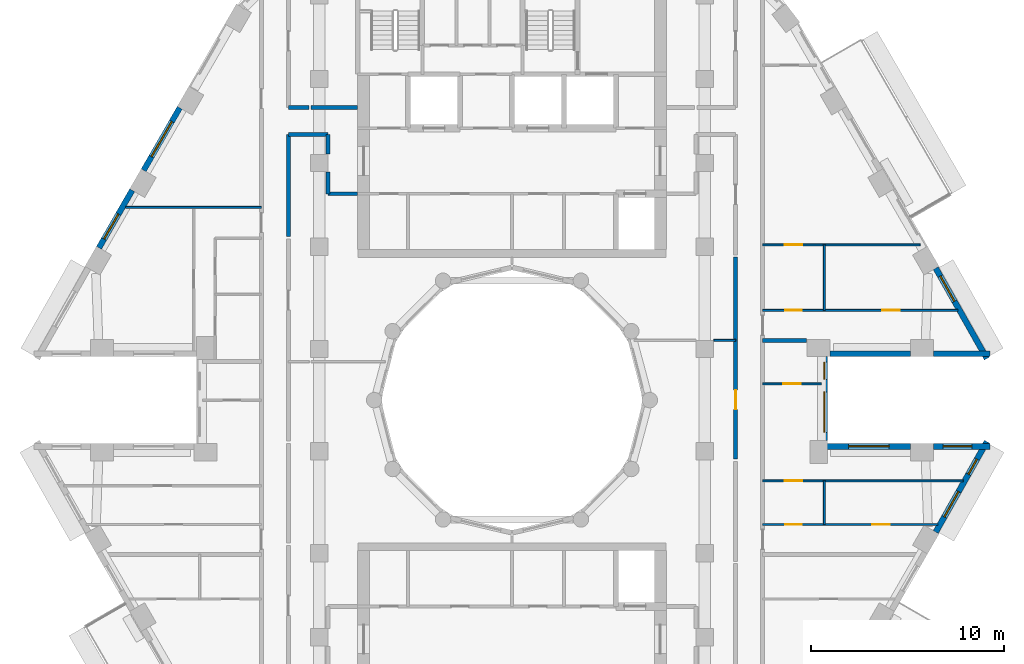
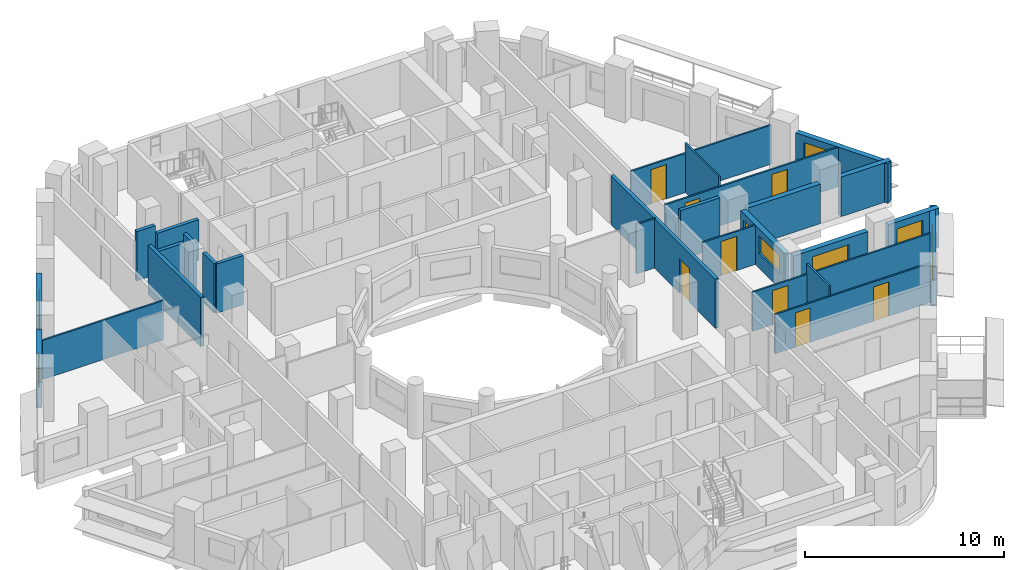
# One storey, part 7 of 18: 27 walls, 9 windows, 8 doors, 17 openings.
"""IFC4 building model written with IfcOpenShell, lengths in metres."""

from ifc_helpers import new_model, si_unit, direction, frame, frame_2d, origin, place, context, subcontext, project, spatial, rectangle, extrude, material, layer, layer_set, type_object, element, fill, save


model = new_model("IFC4")

# Units and contexts
model_context = context("Model", 3, precision=1e-05, world=origin(), true_north=direction((0.0, 1.0)))
body_context = subcontext(model_context, "Body", "Model", "MODEL_VIEW")
ifc_project = project(units=[si_unit("LENGTHUNIT", "METRE"), si_unit("AREAUNIT", "SQUARE_METRE"), si_unit("VOLUMEUNIT", "CUBIC_METRE"), si_unit("PLANEANGLEUNIT", "RADIAN"), si_unit("MASSUNIT", "GRAM", prefix="KILO")], contexts=[model_context])

# Site, building, storey
site_placement = place(None, origin())
site = spatial("IfcSite", under=ifc_project, at=site_placement, CompositionType="ELEMENT")
building_placement = place(site_placement, origin())
building = spatial("IfcBuilding", under=site, at=building_placement, Name="Nakaniwa Court", CompositionType="ELEMENT")
storey_placement = place(building_placement, frame((0.0, 0.0, 176.699951171875)))
storey = spatial("IfcBuildingStorey", under=building, at=storey_placement, Name="L45", CompositionType="ELEMENT", Elevation=176.699951171875)

# Wall, opening, door
ifc_material_1 = material(Name="Acoustic double stud partition")
ifc_layer_1 = layer(ifc_material_1, 0.199951171875)
ifc_layer_set_1 = layer_set([ifc_layer_1], Name="Acoustic double stud partition")
wall_type_1 = type_object("IfcWallType", Name="Acoustic double stud partition 200", PredefinedType="PARTITIONING", material=ifc_layer_set_1)
wall_1_placement = place(storey_placement, frame((91.60009765625, 76.937255859375, 0.0), z_axis=(0.0, 0.0, 1.0), x_axis=(0.0, 1.0, 0.0)))
wall_1 = element("IfcWall", 1, at=wall_1_placement, inside=storey, type_object=wall_type_1, Name="Partition PW-074", PredefinedType="PARTITIONING", context=body_context, shape_type="SweptSolid", body=[
    extrude(rectangle(XDim=10.485595703125, YDim=0.199951171875, at=frame_2d((5.24267578125, 0.0))), origin(), (0.0, 0.0, 1.0), 3.025146484375),
])
opening_1_placement = place(wall_1_placement, frame((2.5830078125, 0.0, 0.0)))
opening_1 = element("IfcOpeningElement", 2, at=opening_1_placement, cuts=wall_1, Name="Opening D-02-02", PredefinedType="OPENING", context=body_context, shape_type="SweptSolid", body=[
    extrude(rectangle(XDim=1.0, YDim=2.10009765625, at=frame_2d((0.5, 1.050048828125))), frame((0.0, 0.10986328125, 0.0), z_axis=(0.0, -1.0, 0.0), x_axis=(1.0, 0.0, 0.0)), (0.0, 0.0, 1.0), 0.219970703125),
])
ifc_material_2 = material(Name="Solid core timber door set, black veneer", Category="wood")
door_type_1 = type_object("IfcDoorType", Name="Internal door 1000", OperationType="NOTDEFINED", PredefinedType="DOOR", material=ifc_material_2)
door_1_placement = place(opening_1_placement, origin())
door_1 = element("IfcDoor", 3, at=door_1_placement, inside=storey, type_object=door_type_1, Name="Door D-02-02 L45-032", OperationType="SINGLE_SWING_LEFT", OverallHeight=2.10009765625, OverallWidth=1.0, PredefinedType="DOOR", context=body_context, shape_type="SweptSolid", body=[
    extrude(rectangle(XDim=1.0, YDim=2.10009765625, at=frame_2d((0.5, 1.050048828125))), frame((0.0, 0.02490234375, 0.0), z_axis=(0.0, -1.0, 0.0), x_axis=(1.0, 0.0, 0.0)), (0.0, 0.0, 1.0), 0.050048828125),
])
fill(opening_1, door_1)

# Walls
wall_2_placement = place(storey_placement, frame((68.39990234375, 93.77490234375, 0.0), z_axis=(0.0, 0.0, 1.0), x_axis=(1.0, 0.0, 0.0)))
element("IfcWall", 4, at=wall_2_placement, inside=storey, type_object=wall_type_1, Name="Partition PW-090", PredefinedType="PARTITIONING", context=body_context, shape_type="SweptSolid", body=[
    extrude(rectangle(XDim=2.050048828125, YDim=0.199951171875, at=frame_2d((1.02490234375, 0.0))), origin(), (0.0, 0.0, 1.0), 2.505126953125),
])
wall_3_placement = place(storey_placement, frame((70.449951171875, 90.699951171875, 0.0), z_axis=(0.0, 0.0, 1.0), x_axis=(1.0, 0.0, 0.0)))
element("IfcWall", 5, at=wall_3_placement, inside=storey, type_object=wall_type_1, Name="Partition PW-092", PredefinedType="PARTITIONING", context=body_context, shape_type="SweptSolid", body=[
    extrude(rectangle(XDim=1.550048828125, YDim=0.199951171875, at=frame_2d((0.77490234375, 0.0))), origin(), (0.0, 0.0, 1.0), 3.025146484375),
])
wall_4_placement = place(storey_placement, frame((68.39990234375, 95.175048828125, 0.0), z_axis=(0.0, 0.0, 1.0), x_axis=(1.0, 0.0, 0.0)))
element("IfcWall", 6, at=wall_4_placement, inside=storey, type_object=wall_type_1, Name="Partition PW-094", PredefinedType="PARTITIONING", context=body_context, shape_type="SweptSolid", body=[
    extrude(rectangle(XDim=1.072998046875, YDim=0.199951171875, at=frame_2d((0.53662109375, 0.0))), origin(), (0.0, 0.0, 1.0), 3.025146484375),
])
wall_5_placement = place(storey_placement, frame((69.587158203125, 95.175048828125, 0.0), z_axis=(0.0, 0.0, 1.0), x_axis=(1.0, 0.0, 0.0)))
element("IfcWall", 7, at=wall_5_placement, inside=storey, type_object=wall_type_1, Name="Partition PW-095", PredefinedType="PARTITIONING", context=body_context, shape_type="SweptSolid", body=[
    extrude(rectangle(XDim=2.412841796875, YDim=0.199951171875, at=frame_2d((1.20654296875, 0.0))), origin(), (0.0, 0.0, 1.0), 2.505126953125),
])
wall_6_placement = place(storey_placement, frame((68.39990234375, 88.477294921875, 0.0), z_axis=(0.0, 0.0, 1.0), x_axis=(0.0, 1.0, 0.0)))
element("IfcWall", 8, at=wall_6_placement, inside=storey, type_object=wall_type_1, Name="Partition PW-102", PredefinedType="PARTITIONING", context=body_context, shape_type="SweptSolid", body=[
    extrude(rectangle(XDim=5.297607421875, YDim=0.199951171875, at=frame_2d((2.64892578125, 0.0))), origin(), (0.0, 0.0, 1.0), 3.025146484375),
])
wall_7_placement = place(storey_placement, frame((70.449951171875, 90.699951171875, 0.0), z_axis=(0.0, 0.0, 1.0), x_axis=(0.0, 1.0, 0.0)))
element("IfcWall", 9, at=wall_7_placement, inside=storey, type_object=wall_type_1, Name="Partition PW-107", PredefinedType="PARTITIONING", context=body_context, shape_type="SweptSolid", body=[
    extrude(rectangle(XDim=1.1328125, YDim=0.199951171875, at=frame_2d((0.56640625, 0.0))), origin(), (0.0, 0.0, 1.0), 3.025146484375),
])
wall_8_placement = place(storey_placement, frame((70.449951171875, 92.76708984375, 0.0), z_axis=(0.0, 0.0, 1.0), x_axis=(0.0, 1.0, 0.0)))
element("IfcWall", 10, at=wall_8_placement, inside=storey, type_object=wall_type_1, Name="Partition PW-108", PredefinedType="PARTITIONING", context=body_context, shape_type="SweptSolid", body=[
    extrude(rectangle(XDim=1.0078125, YDim=0.199951171875, at=frame_2d((0.50390625, 0.0))), origin(), (0.0, 0.0, 1.0), 3.025146484375),
])
wall_9_placement = place(storey_placement, frame((93.0009765625, 83.10009765625, 0.0), z_axis=(0.0, 0.0, 1.0), x_axis=(1.0, 0.0, 0.0)))
element("IfcWall", 11, at=wall_9_placement, inside=storey, type_object=wall_type_1, Name="Partition PW-129", PredefinedType="PARTITIONING", context=body_context, shape_type="SweptSolid", body=[
    extrude(rectangle(XDim=2.278564453125, YDim=0.199951171875, at=frame_2d((1.13916015625, 0.0))), origin(), (0.0, 0.0, 1.0), 3.025146484375),
])
ifc_material_3 = material(Name="Charcoal ceramic cladding")
ifc_layer_2 = layer(ifc_material_3, 0.02, Name="Ceramic cladding")
ifc_material_4 = material(Name="Ventilated air cavity")
ifc_layer_3 = layer(ifc_material_4, 0.04, ventilated=True, Name="Ventilated cavity")
ifc_material_5 = material(Name="Mineral wool insulation")
ifc_layer_4 = layer(ifc_material_5, 0.1, Name="Insulation")
ifc_material_6 = material(Name="Cement bonded sheathing board")
ifc_layer_5 = layer(ifc_material_6, 0.012, Name="Sheathing")
ifc_material_7 = material(Name="Cold-formed galvanised stud frame with mineral wool infill")
ifc_layer_6 = layer(ifc_material_7, 0.1, Name="Stud frame")
ifc_material_8 = material(Name="Fire-rated gypsum plasterboard lining")
ifc_layer_7 = layer(ifc_material_8, 0.028, Name="Lining")
ifc_layer_set_2 = layer_set([ifc_layer_2, ifc_layer_3, ifc_layer_4, ifc_layer_5, ifc_layer_6, ifc_layer_7], Name="Charcoal ceramic faced external wall system")
wall_type_2 = type_object("IfcWallType", Name="Black ceramic faced external wall 300", PredefinedType="SOLIDWALL", material=ifc_layer_set_2)
wall_10_placement = place(storey_placement, frame((96.49560546875, 82.39990234375, 0.0), z_axis=(0.0, 0.0, 1.0), x_axis=(1.0, 0.0, 0.0)))
element("IfcWall", 12, at=wall_10_placement, inside=storey, type_object=wall_type_2, Name="L45 external wall 00", PredefinedType="SOLIDWALL", context=body_context, shape_type="SweptSolid", body=[
    extrude(rectangle(XDim=4.17236328125, YDim=0.300048828125, at=frame_2d((2.086181640625, 0.0))), origin(), (0.0, 0.0, 1.0), 2.425048828125),
])
wall_11_placement = place(storey_placement, frame((101.860107421875, 82.39990234375, 0.0), z_axis=(0.0, 0.0, 1.0), x_axis=(1.0, 0.0, 0.0)))
element("IfcWall", 13, at=wall_11_placement, inside=storey, type_object=wall_type_2, Name="L45 external wall 01", PredefinedType="SOLIDWALL", context=body_context, shape_type="SweptSolid", body=[
    extrude(rectangle(XDim=2.937744140625, YDim=0.300048828125, at=frame_2d((1.46875, 0.0))), origin(), (0.0, 0.0, 1.0), 2.425048828125),
])

# Wall, opening, window
wall_12_placement = place(storey_placement, frame((104.627197265625, 82.153564453125, 0.0), z_axis=(0.0, 0.0, 1.0), x_axis=(-0.492033360928, 0.870576344575, 0.0)))
wall_12 = element("IfcWall", 14, at=wall_12_placement, inside=storey, type_object=wall_type_2, Name="L45 external wall 02", PredefinedType="SOLIDWALL", context=body_context, shape_type="SweptSolid", body=[
    extrude(rectangle(XDim=5.38671875, YDim=0.300048828125, at=frame_2d((2.693359375, 0.0))), origin(), (0.0, 0.0, 1.0), 2.425048828125),
])
opening_2_placement = place(wall_12_placement, frame((3.412353515625, 0.0, 0.89990234375)))
opening_2 = element("IfcOpeningElement", 15, at=opening_2_placement, cuts=wall_12, Name="Opening W5.01", PredefinedType="OPENING", context=body_context, shape_type="SweptSolid", body=[
    extrude(rectangle(XDim=1.5, YDim=1.10009765625, at=frame_2d((0.75, 0.550048828125))), frame((0.0, 0.159912109375, 0.0), z_axis=(0.0, -1.0, 0.0), x_axis=(1.0, 0.0, 0.0)), (0.0, 0.0, 1.0), 0.320068359375),
])
ifc_material_9 = material(Name="Black anodised aluminium frame with dark low-E laminated double glazing", Category="aluminium")
window_type_1 = type_object("IfcWindowType", Name="Dark glass window 1500x1100 sill 900", PartitioningType="SINGLE_PANEL", PredefinedType="WINDOW", material=ifc_material_9)
window_1_placement = place(opening_2_placement, origin())
window_1 = element("IfcWindow", 16, at=window_1_placement, inside=storey, type_object=window_type_1, Name="L45 habitable room window 02-1", OverallHeight=1.10009765625, OverallWidth=1.5, PartitioningType="SINGLE_PANEL", PredefinedType="WINDOW", context=body_context, shape_type="SweptSolid", body=[
    extrude(rectangle(XDim=1.5, YDim=1.10009765625, at=frame_2d((0.75, 0.550048828125))), frame((0.0, 0.030029296875, 0.0), z_axis=(0.0, -1.0, 0.0), x_axis=(1.0, 0.0, 0.0)), (0.0, 0.0, 1.0), 0.06005859375),
])
fill(opening_2, window_1)

wall_13_placement = place(storey_placement, frame((62.77099609375, 95.158447265625, 0.0), z_axis=(0.0, 0.0, 1.0), x_axis=(-0.500059225181, -0.86599120741, 0.0)))
wall_13 = element("IfcWall", 17, at=wall_13_placement, inside=storey, type_object=wall_type_2, Name="L45 external wall 12", PredefinedType="SOLIDWALL", context=body_context, shape_type="SweptSolid", body=[
    extrude(rectangle(XDim=3.744140625, YDim=0.300048828125, at=frame_2d((1.8720703125, 0.0))), origin(), (0.0, 0.0, 1.0), 2.425048828125),
])
opening_3_placement = place(wall_13_placement, frame((0.822021484375, 0.0, 0.89990234375)))
opening_3 = element("IfcOpeningElement", 18, at=opening_3_placement, cuts=wall_13, Name="Opening W7.12", PredefinedType="OPENING", context=body_context, shape_type="SweptSolid", body=[
    extrude(rectangle(XDim=2.10009765625, YDim=1.10009765625, at=frame_2d((1.050048828125, 0.550048828125))), frame((0.0, 0.159912109375, 0.0), z_axis=(0.0, -1.0, 0.0), x_axis=(1.0, 0.0, 0.0)), (0.0, 0.0, 1.0), 0.320068359375),
])
window_type_2 = type_object("IfcWindowType", Name="Dark glass window 2100x1100 sill 900", PartitioningType="SINGLE_PANEL", PredefinedType="WINDOW", material=ifc_material_9)
window_2_placement = place(opening_3_placement, origin())
window_2 = element("IfcWindow", 19, at=window_2_placement, inside=storey, type_object=window_type_2, Name="L45 habitable room window 12-0", OverallHeight=1.10009765625, OverallWidth=2.10009765625, PartitioningType="SINGLE_PANEL", PredefinedType="WINDOW", context=body_context, shape_type="SweptSolid", body=[
    extrude(rectangle(XDim=2.10009765625, YDim=1.10009765625, at=frame_2d((1.050048828125, 0.550048828125))), frame((0.0, 0.030029296875, 0.0), z_axis=(0.0, -1.0, 0.0), x_axis=(1.0, 0.0, 0.0)), (0.0, 0.0, 1.0), 0.06005859375),
])
fill(opening_3, window_2)

wall_14_placement = place(storey_placement, frame((60.302734375, 90.883544921875, 0.0), z_axis=(0.0, 0.0, 1.0), x_axis=(-0.499955427682, -0.866051136095, 0.0)))
wall_14 = element("IfcWall", 20, at=wall_14_placement, inside=storey, type_object=wall_type_2, Name="L45 external wall 13", PredefinedType="SOLIDWALL", context=body_context, shape_type="SweptSolid", body=[
    extrude(rectangle(XDim=3.447021484375, YDim=0.300048828125, at=frame_2d((1.7236328125, 0.0))), origin(), (0.0, 0.0, 1.0), 2.425048828125),
])
opening_4_placement = place(wall_14_placement, frame((1.422607421875, 0.0, 0.89990234375)))
opening_4 = element("IfcOpeningElement", 21, at=opening_4_placement, cuts=wall_14, Name="Opening W5.13", PredefinedType="OPENING", context=body_context, shape_type="SweptSolid", body=[
    extrude(rectangle(XDim=1.5, YDim=1.10009765625, at=frame_2d((0.75, 0.550048828125))), frame((0.0, 0.159912109375, 0.0), z_axis=(0.0, -1.0, 0.0), x_axis=(1.0, 0.0, 0.0)), (0.0, 0.0, 1.0), 0.320068359375),
])
window_3_placement = place(opening_4_placement, origin())
window_3 = element("IfcWindow", 22, at=window_3_placement, inside=storey, type_object=window_type_1, Name="L45 living window 13-1", OverallHeight=1.10009765625, OverallWidth=1.5, PartitioningType="SINGLE_PANEL", PredefinedType="WINDOW", context=body_context, shape_type="SweptSolid", body=[
    extrude(rectangle(XDim=1.5, YDim=1.10009765625, at=frame_2d((0.75, 0.550048828125))), frame((0.0, 0.030029296875, 0.0), z_axis=(0.0, -1.0, 0.0), x_axis=(1.0, 0.0, 0.0)), (0.0, 0.0, 1.0), 0.06005859375),
])
fill(opening_4, window_3)

# Wall, openings, windows
wall_15_placement = place(storey_placement, frame((101.976806640625, 73.156982421875, 0.0), z_axis=(0.0, 0.0, 1.0), x_axis=(0.492033360928, 0.870576344575, 0.0)))
wall_15 = element("IfcWall", 23, at=wall_15_placement, inside=storey, type_object=wall_type_2, Name="L45 external wall 32", PredefinedType="SOLIDWALL", context=body_context, shape_type="SweptSolid", body=[
    extrude(rectangle(XDim=5.38671875, YDim=0.300048828125, at=frame_2d((2.693359375, 0.0))), origin(), (0.0, 0.0, 1.0), 2.425048828125),
])
opening_5_placement = place(wall_15_placement, frame((0.904541015625, 0.0, 0.89990234375)))
opening_5 = element("IfcOpeningElement", 24, at=opening_5_placement, cuts=wall_15, Name="Opening W5.31", PredefinedType="OPENING", context=body_context, shape_type="SweptSolid", body=[
    extrude(rectangle(XDim=1.5, YDim=1.10009765625, at=frame_2d((0.75, 0.550048828125))), frame((0.0, 0.159912109375, 0.0), z_axis=(0.0, -1.0, 0.0), x_axis=(1.0, 0.0, 0.0)), (0.0, 0.0, 1.0), 0.320068359375),
])
opening_6_placement = place(wall_15_placement, frame((3.4443359375, 0.0, 0.89990234375)))
opening_6 = element("IfcOpeningElement", 25, at=opening_6_placement, cuts=wall_15, Name="Opening W9.32", PredefinedType="OPENING", context=body_context, shape_type="SweptSolid", body=[
    extrude(rectangle(XDim=0.89990234375, YDim=1.10009765625, at=frame_2d((0.449951171875, 0.550048828125))), frame((0.0, 0.159912109375, 0.0), z_axis=(0.0, -1.0, 0.0), x_axis=(1.0, 0.0, 0.0)), (0.0, 0.0, 1.0), 0.320068359375),
])
window_4_placement = place(opening_5_placement, origin())
window_4 = element("IfcWindow", 26, at=window_4_placement, inside=storey, type_object=window_type_1, Name="L45 habitable room window 32-1", OverallHeight=1.10009765625, OverallWidth=1.5, PartitioningType="SINGLE_PANEL", PredefinedType="WINDOW", context=body_context, shape_type="SweptSolid", body=[
    extrude(rectangle(XDim=1.5, YDim=1.10009765625, at=frame_2d((0.75, 0.550048828125))), frame((0.0, 0.030029296875, 0.0), z_axis=(0.0, -1.0, 0.0), x_axis=(1.0, 0.0, 0.0)), (0.0, 0.0, 1.0), 0.06005859375),
])
fill(opening_5, window_4)
window_type_3 = type_object("IfcWindowType", Name="Dark glass window 900x1100 sill 900", PartitioningType="SINGLE_PANEL", PredefinedType="WINDOW", material=ifc_material_9)
window_5_placement = place(opening_6_placement, origin())
window_5 = element("IfcWindow", 27, at=window_5_placement, inside=storey, type_object=window_type_3, Name="L45 living window 32-2", OverallHeight=1.10009765625, OverallWidth=0.89990234375, PartitioningType="SINGLE_PANEL", PredefinedType="WINDOW", context=body_context, shape_type="SweptSolid", body=[
    extrude(rectangle(XDim=0.89990234375, YDim=1.10009765625, at=frame_2d((0.449951171875, 0.550048828125))), frame((0.0, 0.030029296875, 0.0), z_axis=(0.0, -1.0, 0.0), x_axis=(1.0, 0.0, 0.0)), (0.0, 0.0, 1.0), 0.06005859375),
])
fill(opening_6, window_5)

# Wall, opening, window
wall_16_placement = place(storey_placement, frame((104.7978515625, 77.60009765625, 0.0), z_axis=(0.0, 0.0, 1.0), x_axis=(-1.0, 0.0, 0.0)))
wall_16 = element("IfcWall", 28, at=wall_16_placement, inside=storey, type_object=wall_type_2, Name="L45 external wall 33", PredefinedType="SOLIDWALL", context=body_context, shape_type="SweptSolid", body=[
    extrude(rectangle(XDim=2.937744140625, YDim=0.300048828125, at=frame_2d((1.46875, 0.0))), origin(), (0.0, 0.0, 1.0), 2.425048828125),
])
opening_7_placement = place(wall_16_placement, frame((0.944091796875, 0.0, 0.89990234375)))
opening_7 = element("IfcOpeningElement", 29, at=opening_7_placement, cuts=wall_16, Name="Opening W5.33", PredefinedType="OPENING", context=body_context, shape_type="SweptSolid", body=[
    extrude(rectangle(XDim=1.5, YDim=1.10009765625, at=frame_2d((0.75, 0.550048828125))), frame((0.0, 0.159912109375, 0.0), z_axis=(0.0, -1.0, 0.0), x_axis=(1.0, 0.0, 0.0)), (0.0, 0.0, 1.0), 0.320068359375),
])
window_6_placement = place(opening_7_placement, origin())
window_6 = element("IfcWindow", 30, at=window_6_placement, inside=storey, type_object=window_type_1, Name="L45 living window 33-0", OverallHeight=1.10009765625, OverallWidth=1.5, PartitioningType="SINGLE_PANEL", PredefinedType="WINDOW", context=body_context, shape_type="SweptSolid", body=[
    extrude(rectangle(XDim=1.5, YDim=1.10009765625, at=frame_2d((0.75, 0.550048828125))), frame((0.0, 0.030029296875, 0.0), z_axis=(0.0, -1.0, 0.0), x_axis=(1.0, 0.0, 0.0)), (0.0, 0.0, 1.0), 0.06005859375),
])
fill(opening_7, window_6)

wall_17_placement = place(storey_placement, frame((100.66796875, 77.60009765625, 0.0), z_axis=(0.0, 0.0, 1.0), x_axis=(-1.0, 0.0, 0.0)))
wall_17 = element("IfcWall", 31, at=wall_17_placement, inside=storey, type_object=wall_type_2, Name="L45 external wall 34", PredefinedType="SOLIDWALL", context=body_context, shape_type="SweptSolid", body=[
    extrude(rectangle(XDim=4.322509765625, YDim=0.300048828125, at=frame_2d((2.1611328125, 0.0))), origin(), (0.0, 0.0, 1.0), 2.425048828125),
])
opening_8_placement = place(wall_17_placement, frame((1.111083984375, 0.0, 0.89990234375)))
opening_8 = element("IfcOpeningElement", 32, at=opening_8_placement, cuts=wall_17, Name="Opening W7.34", PredefinedType="OPENING", context=body_context, shape_type="SweptSolid", body=[
    extrude(rectangle(XDim=2.10009765625, YDim=1.10009765625, at=frame_2d((1.050048828125, 0.550048828125))), frame((0.0, 0.159912109375, 0.0), z_axis=(0.0, -1.0, 0.0), x_axis=(1.0, 0.0, 0.0)), (0.0, 0.0, 1.0), 0.320068359375),
])
window_7_placement = place(opening_8_placement, origin())
window_7 = element("IfcWindow", 33, at=window_7_placement, inside=storey, type_object=window_type_2, Name="L45 living window 34-0", OverallHeight=1.10009765625, OverallWidth=2.10009765625, PartitioningType="SINGLE_PANEL", PredefinedType="WINDOW", context=body_context, shape_type="SweptSolid", body=[
    extrude(rectangle(XDim=2.10009765625, YDim=1.10009765625, at=frame_2d((1.050048828125, 0.550048828125))), frame((0.0, 0.030029296875, 0.0), z_axis=(0.0, -1.0, 0.0), x_axis=(1.0, 0.0, 0.0)), (0.0, 0.0, 1.0), 0.06005859375),
])
fill(opening_8, window_7)

# Wall, openings, windows
wall_18_placement = place(storey_placement, frame((96.199462890625, 77.89599609375, 0.0), z_axis=(0.0, 0.0, 1.0), x_axis=(0.0, 1.0, 0.0)))
wall_18 = element("IfcWall", 34, at=wall_18_placement, inside=storey, type_object=wall_type_2, Name="L45 external wall 35", PredefinedType="SOLIDWALL", context=body_context, shape_type="SweptSolid", body=[
    extrude(rectangle(XDim=4.35791015625, YDim=0.300048828125, at=frame_2d((2.178955078125, 0.0))), origin(), (0.0, 0.0, 1.0), 2.425048828125),
])
opening_9_placement = place(wall_18_placement, frame((0.43310546875, 0.0, 0.89990234375)))
opening_9 = element("IfcOpeningElement", 35, at=opening_9_placement, cuts=wall_18, Name="Opening W7.35", PredefinedType="OPENING", context=body_context, shape_type="SweptSolid", body=[
    extrude(rectangle(XDim=2.10009765625, YDim=1.10009765625, at=frame_2d((1.050048828125, 0.550048828125))), frame((0.0, 0.159912109375, 0.0), z_axis=(0.0, -1.0, 0.0), x_axis=(1.0, 0.0, 0.0)), (0.0, 0.0, 1.0), 0.320068359375),
])
opening_10_placement = place(wall_18_placement, frame((3.175048828125, 0.0, 0.89990234375)))
opening_10 = element("IfcOpeningElement", 36, at=opening_10_placement, cuts=wall_18, Name="Opening W9.36", PredefinedType="OPENING", context=body_context, shape_type="SweptSolid", body=[
    extrude(rectangle(XDim=0.89990234375, YDim=1.10009765625, at=frame_2d((0.449951171875, 0.550048828125))), frame((0.0, 0.159912109375, 0.0), z_axis=(0.0, -1.0, 0.0), x_axis=(1.0, 0.0, 0.0)), (0.0, 0.0, 1.0), 0.320068359375),
])
window_8_placement = place(opening_9_placement, origin())
window_8 = element("IfcWindow", 37, at=window_8_placement, inside=storey, type_object=window_type_2, Name="L45 living window 35-0", OverallHeight=1.10009765625, OverallWidth=2.10009765625, PartitioningType="SINGLE_PANEL", PredefinedType="WINDOW", context=body_context, shape_type="SweptSolid", body=[
    extrude(rectangle(XDim=2.10009765625, YDim=1.10009765625, at=frame_2d((1.050048828125, 0.550048828125))), frame((0.0, 0.030029296875, 0.0), z_axis=(0.0, -1.0, 0.0), x_axis=(1.0, 0.0, 0.0)), (0.0, 0.0, 1.0), 0.06005859375),
])
fill(opening_9, window_8)
window_9_placement = place(opening_10_placement, origin())
window_9 = element("IfcWindow", 38, at=window_9_placement, inside=storey, type_object=window_type_3, Name="L45 habitable room window 35-1", OverallHeight=1.10009765625, OverallWidth=0.89990234375, PartitioningType="SINGLE_PANEL", PredefinedType="WINDOW", context=body_context, shape_type="SweptSolid", body=[
    extrude(rectangle(XDim=0.89990234375, YDim=1.10009765625, at=frame_2d((0.449951171875, 0.550048828125))), frame((0.0, 0.030029296875, 0.0), z_axis=(0.0, -1.0, 0.0), x_axis=(1.0, 0.0, 0.0)), (0.0, 0.0, 1.0), 0.06005859375),
])
fill(opening_10, window_9)

# Wall
ifc_material_10 = material(Name="Single stud plasterboard partition")
ifc_layer_8 = layer(ifc_material_10, 0.10009765625)
ifc_layer_set_3 = layer_set([ifc_layer_8], Name="Single stud plasterboard partition")
wall_type_3 = type_object("IfcWallType", Name="Single stud plasterboard partition 100", PredefinedType="PARTITIONING", material=ifc_layer_set_3)
wall_19_placement = place(storey_placement, frame((90.469970703125, 83.10009765625, 0.0), z_axis=(0.0, 0.0, 1.0), x_axis=(1.0, 0.0, 0.0)))
element("IfcWall", 39, at=wall_19_placement, inside=storey, type_object=wall_type_3, Name="Partition PW-122", PredefinedType="PARTITIONING", context=body_context, shape_type="SweptSolid", body=[
    extrude(rectangle(XDim=1.129150390625, YDim=0.10009765625, at=frame_2d((0.564453125, 0.0))), origin(), (0.0, 0.0, 1.0), 3.025146484375),
])

# Wall, openings, doors
wall_20_placement = place(storey_placement, frame((93.0009765625, 73.550048828125, 0.0), z_axis=(0.0, 0.0, 1.0), x_axis=(1.0, 0.0, 0.0)))
wall_20 = element("IfcWall", 40, at=wall_20_placement, inside=storey, type_object=wall_type_3, Name="Partition PW-124", PredefinedType="PARTITIONING", context=body_context, shape_type="SweptSolid", body=[
    extrude(rectangle(XDim=9.082763671875, YDim=0.10009765625, at=frame_2d((4.54150390625, 0.0))), origin(), (0.0, 0.0, 1.0), 2.405029296875),
])
opening_11_placement = place(wall_20_placement, frame((1.175048828125, 0.0, 0.0)))
opening_11 = element("IfcOpeningElement", 41, at=opening_11_placement, cuts=wall_20, Name="Opening D-03-02", PredefinedType="OPENING", context=body_context, shape_type="SweptSolid", body=[
    extrude(rectangle(XDim=0.85009765625, YDim=2.10009765625, at=frame_2d((0.425048828125, 1.050048828125))), frame((0.0, 0.06005859375, 0.0), z_axis=(0.0, -1.0, 0.0), x_axis=(1.0, 0.0, 0.0)), (0.0, 0.0, 1.0), 0.1201171875),
])
opening_12_placement = place(wall_20_placement, frame((5.69091796875, 0.0, 0.0)))
opening_12 = element("IfcOpeningElement", 42, at=opening_12_placement, cuts=wall_20, Name="Opening D-33-03", PredefinedType="OPENING", context=body_context, shape_type="SweptSolid", body=[
    extrude(rectangle(XDim=0.89990234375, YDim=2.10009765625, at=frame_2d((0.449951171875, 1.050048828125))), frame((0.0, 0.06005859375, 0.0), z_axis=(0.0, -1.0, 0.0), x_axis=(1.0, 0.0, 0.0)), (0.0, 0.0, 1.0), 0.1201171875),
])
ifc_material_11 = material(Name="Moisture sealed timber door set", Category="wood")
door_type_2 = type_object("IfcDoorType", Name="Bathroom door 850", OperationType="NOTDEFINED", PredefinedType="DOOR", material=ifc_material_11)
door_2_placement = place(opening_11_placement, origin())
door_2 = element("IfcDoor", 43, at=door_2_placement, inside=storey, type_object=door_type_2, Name="Door D-03-02 L45-034", OperationType="SINGLE_SWING_LEFT", OverallHeight=2.10009765625, OverallWidth=0.85009765625, PredefinedType="DOOR", context=body_context, shape_type="SweptSolid", body=[
    extrude(rectangle(XDim=0.85009765625, YDim=2.10009765625, at=frame_2d((0.425048828125, 1.050048828125))), frame((0.0, 0.02490234375, 0.0), z_axis=(0.0, -1.0, 0.0), x_axis=(1.0, 0.0, 0.0)), (0.0, 0.0, 1.0), 0.050048828125),
])
fill(opening_11, door_2)
door_type_3 = type_object("IfcDoorType", Name="Internal door 900", OperationType="NOTDEFINED", PredefinedType="DOOR", material=ifc_material_2)
door_3_placement = place(opening_12_placement, origin())
door_3 = element("IfcDoor", 44, at=door_3_placement, inside=storey, type_object=door_type_3, Name="Door D-33-03 L45-035", OperationType="SINGLE_SWING_RIGHT", OverallHeight=2.10009765625, OverallWidth=0.89990234375, PredefinedType="DOOR", context=body_context, shape_type="SweptSolid", body=[
    extrude(rectangle(XDim=0.89990234375, YDim=2.10009765625, at=frame_2d((0.449951171875, 1.050048828125))), frame((0.0, 0.02490234375, 0.0), z_axis=(0.0, -1.0, 0.0), x_axis=(1.0, 0.0, 0.0)), (0.0, 0.0, 1.0), 0.050048828125),
])
fill(opening_12, door_3)

# Walls
wall_21_placement = place(storey_placement, frame((96.200927734375, 73.550048828125, 0.0), z_axis=(0.0, 0.0, 1.0), x_axis=(0.0, 1.0, 0.0)))
element("IfcWall", 45, at=wall_21_placement, inside=storey, type_object=wall_type_3, Name="Partition PW-125", PredefinedType="PARTITIONING", context=body_context, shape_type="SweptSolid", body=[
    extrude(rectangle(XDim=2.26171875, YDim=0.10009765625, at=frame_2d((1.130859375, 0.0))), origin(), (0.0, 0.0, 1.0), 3.025146484375),
])
wall_22_placement = place(storey_placement, frame((96.200927734375, 84.64990234375, 0.0), z_axis=(0.0, 0.0, 1.0), x_axis=(0.0, 1.0, 0.0)))
element("IfcWall", 46, at=wall_22_placement, inside=storey, type_object=wall_type_3, Name="Partition PW-126", PredefinedType="PARTITIONING", context=body_context, shape_type="SweptSolid", body=[
    extrude(rectangle(XDim=3.400146484375, YDim=0.10009765625, at=frame_2d((1.7001953125, 0.0))), origin(), (0.0, 0.0, 1.0), 3.025146484375),
])

# Wall, opening, door
wall_23_placement = place(storey_placement, frame((93.0009765625, 75.81201171875, 0.0), z_axis=(0.0, 0.0, 1.0), x_axis=(1.0, 0.0, 0.0)))
wall_23 = element("IfcWall", 47, at=wall_23_placement, inside=storey, type_object=wall_type_3, Name="Partition PW-127", PredefinedType="PARTITIONING", context=body_context, shape_type="SweptSolid", body=[
    extrude(rectangle(XDim=10.388671875, YDim=0.10009765625, at=frame_2d((5.1943359375, 0.0))), origin(), (0.0, 0.0, 1.0), 2.405029296875),
])
opening_13_placement = place(wall_23_placement, frame((1.15087890625, 0.0, 0.0)))
opening_13 = element("IfcOpeningElement", 48, at=opening_13_placement, cuts=wall_23, Name="Opening D-33-04", PredefinedType="OPENING", context=body_context, shape_type="SweptSolid", body=[
    extrude(rectangle(XDim=0.89990234375, YDim=2.10009765625, at=frame_2d((0.449951171875, 1.050048828125))), frame((0.0, 0.06005859375, 0.0), z_axis=(0.0, -1.0, 0.0), x_axis=(1.0, 0.0, 0.0)), (0.0, 0.0, 1.0), 0.1201171875),
])
door_4_placement = place(opening_13_placement, origin())
door_4 = element("IfcDoor", 49, at=door_4_placement, inside=storey, type_object=door_type_3, Name="Door D-33-04 L45-036", OperationType="SINGLE_SWING_LEFT", OverallHeight=2.10009765625, OverallWidth=0.89990234375, PredefinedType="DOOR", context=body_context, shape_type="SweptSolid", body=[
    extrude(rectangle(XDim=0.89990234375, YDim=2.10009765625, at=frame_2d((0.449951171875, 1.050048828125))), frame((0.0, 0.02490234375, 0.0), z_axis=(0.0, -1.0, 0.0), x_axis=(1.0, 0.0, 0.0)), (0.0, 0.0, 1.0), 0.050048828125),
])
fill(opening_13, door_4)

wall_24_placement = place(storey_placement, frame((93.0009765625, 80.837890625, 0.0), z_axis=(0.0, 0.0, 1.0), x_axis=(1.0, 0.0, 0.0)))
wall_24 = element("IfcWall", 50, at=wall_24_placement, inside=storey, type_object=wall_type_3, Name="Partition PW-128", PredefinedType="PARTITIONING", context=body_context, shape_type="SweptSolid", body=[
    extrude(rectangle(XDim=3.048583984375, YDim=0.10009765625, at=frame_2d((1.5244140625, 0.0))), origin(), (0.0, 0.0, 1.0), 2.405029296875),
])
opening_14_placement = place(wall_24_placement, frame((1.073974609375, 0.0, 0.0)))
opening_14 = element("IfcOpeningElement", 51, at=opening_14_placement, cuts=wall_24, Name="Opening D-33-05", PredefinedType="OPENING", context=body_context, shape_type="SweptSolid", body=[
    extrude(rectangle(XDim=0.89990234375, YDim=2.10009765625, at=frame_2d((0.449951171875, 1.050048828125))), frame((0.0, 0.06005859375, 0.0), z_axis=(0.0, -1.0, 0.0), x_axis=(1.0, 0.0, 0.0)), (0.0, 0.0, 1.0), 0.1201171875),
])
door_5_placement = place(opening_14_placement, origin())
door_5 = element("IfcDoor", 52, at=door_5_placement, inside=storey, type_object=door_type_3, Name="Door D-33-05 L45-037", OperationType="SINGLE_SWING_RIGHT", OverallHeight=2.10009765625, OverallWidth=0.89990234375, PredefinedType="DOOR", context=body_context, shape_type="SweptSolid", body=[
    extrude(rectangle(XDim=0.89990234375, YDim=2.10009765625, at=frame_2d((0.449951171875, 1.050048828125))), frame((0.0, 0.02490234375, 0.0), z_axis=(0.0, -1.0, 0.0), x_axis=(1.0, 0.0, 0.0)), (0.0, 0.0, 1.0), 0.050048828125),
])
fill(opening_14, door_5)

# Wall, openings, doors
wall_25_placement = place(storey_placement, frame((93.0009765625, 84.64990234375, 0.0), z_axis=(0.0, 0.0, 1.0), x_axis=(1.0, 0.0, 0.0)))
wall_25 = element("IfcWall", 53, at=wall_25_placement, inside=storey, type_object=wall_type_3, Name="Partition PW-130", PredefinedType="PARTITIONING", context=body_context, shape_type="SweptSolid", body=[
    extrude(rectangle(XDim=10.1220703125, YDim=0.10009765625, at=frame_2d((5.06103515625, 0.0))), origin(), (0.0, 0.0, 1.0), 2.405029296875),
])
opening_15_placement = place(wall_25_placement, frame((1.175048828125, 0.0, 0.0)))
opening_15 = element("IfcOpeningElement", 54, at=opening_15_placement, cuts=wall_25, Name="Opening D-03-03", PredefinedType="OPENING", context=body_context, shape_type="SweptSolid", body=[
    extrude(rectangle(XDim=0.85009765625, YDim=2.10009765625, at=frame_2d((0.425048828125, 1.050048828125))), frame((0.0, 0.06005859375, 0.0), z_axis=(0.0, -1.0, 0.0), x_axis=(1.0, 0.0, 0.0)), (0.0, 0.0, 1.0), 0.1201171875),
])
opening_16_placement = place(wall_25_placement, frame((6.2109375, 0.0, 0.0)))
opening_16 = element("IfcOpeningElement", 55, at=opening_16_placement, cuts=wall_25, Name="Opening D-33-06", PredefinedType="OPENING", context=body_context, shape_type="SweptSolid", body=[
    extrude(rectangle(XDim=0.89990234375, YDim=2.10009765625, at=frame_2d((0.449951171875, 1.050048828125))), frame((0.0, 0.06005859375, 0.0), z_axis=(0.0, -1.0, 0.0), x_axis=(1.0, 0.0, 0.0)), (0.0, 0.0, 1.0), 0.1201171875),
])
door_6_placement = place(opening_15_placement, origin())
door_6 = element("IfcDoor", 56, at=door_6_placement, inside=storey, type_object=door_type_2, Name="Door D-03-03 L45-040", OperationType="SINGLE_SWING_LEFT", OverallHeight=2.10009765625, OverallWidth=0.85009765625, PredefinedType="DOOR", context=body_context, shape_type="SweptSolid", body=[
    extrude(rectangle(XDim=0.85009765625, YDim=2.10009765625, at=frame_2d((0.425048828125, 1.050048828125))), frame((0.0, 0.02490234375, 0.0), z_axis=(0.0, -1.0, 0.0), x_axis=(1.0, 0.0, 0.0)), (0.0, 0.0, 1.0), 0.050048828125),
])
fill(opening_15, door_6)
door_7_placement = place(opening_16_placement, origin())
door_7 = element("IfcDoor", 57, at=door_7_placement, inside=storey, type_object=door_type_3, Name="Door D-33-06 L45-041", OperationType="SINGLE_SWING_RIGHT", OverallHeight=2.10009765625, OverallWidth=0.89990234375, PredefinedType="DOOR", context=body_context, shape_type="SweptSolid", body=[
    extrude(rectangle(XDim=0.89990234375, YDim=2.10009765625, at=frame_2d((0.449951171875, 1.050048828125))), frame((0.0, 0.02490234375, 0.0), z_axis=(0.0, -1.0, 0.0), x_axis=(1.0, 0.0, 0.0)), (0.0, 0.0, 1.0), 0.050048828125),
])
fill(opening_16, door_7)

# Wall, opening, door
wall_26_placement = place(storey_placement, frame((93.0009765625, 88.050048828125, 0.0), z_axis=(0.0, 0.0, 1.0), x_axis=(1.0, 0.0, 0.0)))
wall_26 = element("IfcWall", 58, at=wall_26_placement, inside=storey, type_object=wall_type_3, Name="Partition PW-131", PredefinedType="PARTITIONING", context=body_context, shape_type="SweptSolid", body=[
    extrude(rectangle(XDim=8.158935546875, YDim=0.10009765625, at=frame_2d((4.07958984375, 0.0))), origin(), (0.0, 0.0, 1.0), 2.405029296875),
])
opening_17_placement = place(wall_26_placement, frame((1.15087890625, 0.0, 0.0)))
opening_17 = element("IfcOpeningElement", 59, at=opening_17_placement, cuts=wall_26, Name="Opening D-33-07", PredefinedType="OPENING", context=body_context, shape_type="SweptSolid", body=[
    extrude(rectangle(XDim=0.89990234375, YDim=2.10009765625, at=frame_2d((0.449951171875, 1.050048828125))), frame((0.0, 0.06005859375, 0.0), z_axis=(0.0, -1.0, 0.0), x_axis=(1.0, 0.0, 0.0)), (0.0, 0.0, 1.0), 0.1201171875),
])
door_8_placement = place(opening_17_placement, origin())
door_8 = element("IfcDoor", 60, at=door_8_placement, inside=storey, type_object=door_type_3, Name="Door D-33-07 L45-042", OperationType="SINGLE_SWING_LEFT", OverallHeight=2.10009765625, OverallWidth=0.89990234375, PredefinedType="DOOR", context=body_context, shape_type="SweptSolid", body=[
    extrude(rectangle(XDim=0.89990234375, YDim=2.10009765625, at=frame_2d((0.449951171875, 1.050048828125))), frame((0.0, 0.02490234375, 0.0), z_axis=(0.0, -1.0, 0.0), x_axis=(1.0, 0.0, 0.0)), (0.0, 0.0, 1.0), 0.050048828125),
])
fill(opening_17, door_8)

# Wall
wall_27_placement = place(storey_placement, frame((59.9658203125, 90.0, 0.0), z_axis=(0.0, 0.0, 1.0), x_axis=(1.0, 0.0, 0.0)))
element("IfcWall", 61, at=wall_27_placement, inside=storey, type_object=wall_type_3, Name="Partition PW-143", PredefinedType="PARTITIONING", context=body_context, shape_type="SweptSolid", body=[
    extrude(rectangle(XDim=7.033203125, YDim=0.10009765625, at=frame_2d((3.5166015625, 0.0))), origin(), (0.0, 0.0, 1.0), 2.405029296875),
])

save(model, "model.ifc")
